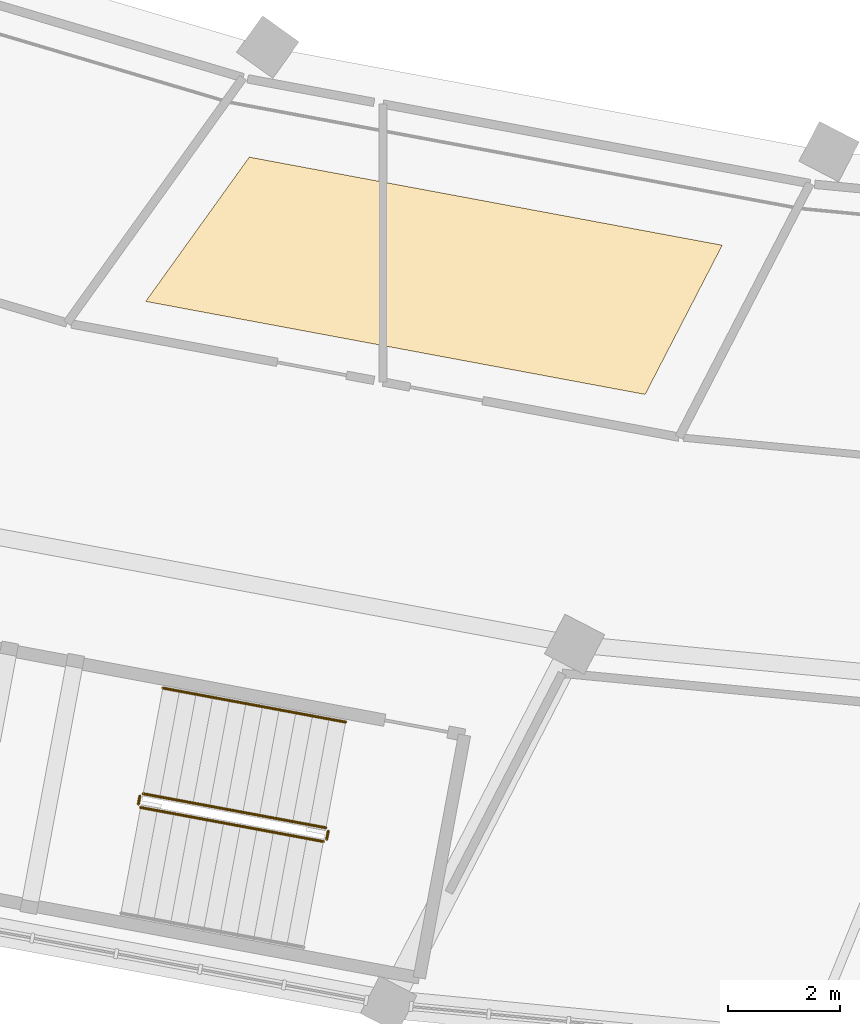
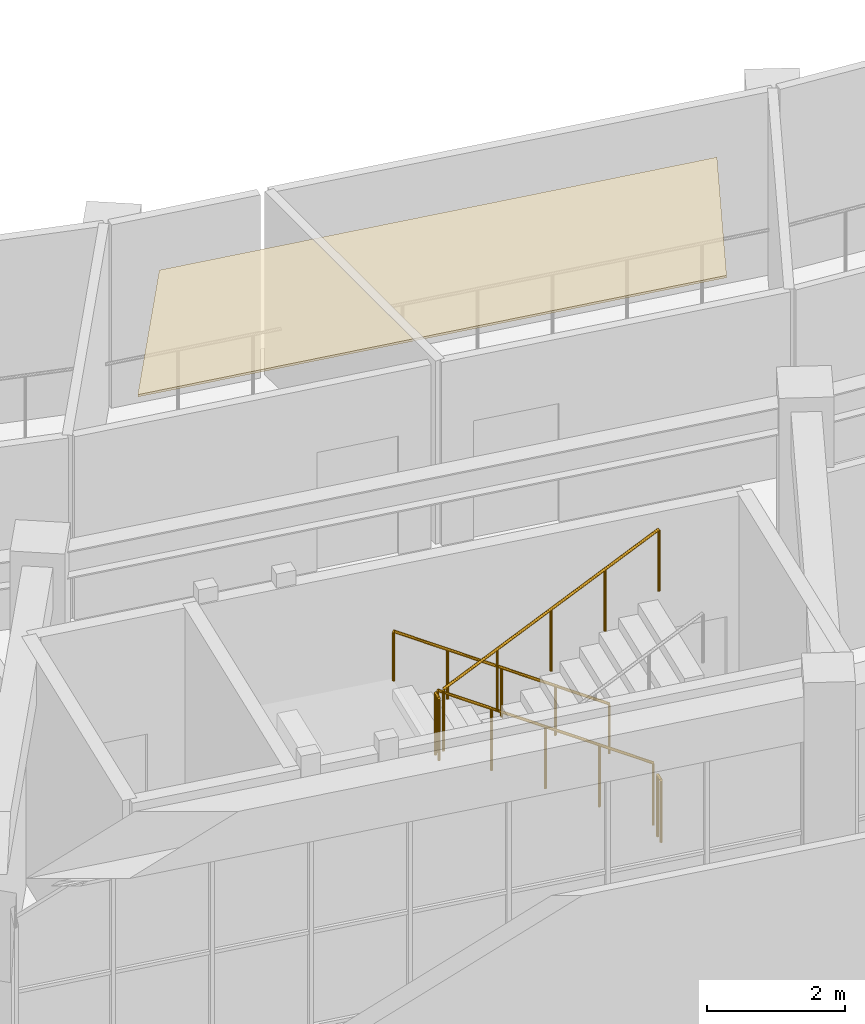
# One storey, part 118 of 141: 5 railings, 1 covering.
"""IFC4 building model written with IfcOpenShell, lengths in metres."""

from ifc_helpers import new_model, si_unit, direction, frame, origin, origin_2d, place, context, subcontext, project, spatial, polyline, circle, outline, extrude, material, layer, layer_set, type_object, element, save


model = new_model("IFC4")

# Units and contexts
model_context = context("Model", 3, precision=1e-05, world=origin(), true_north=direction((0.0, 1.0)))
body_context = subcontext(model_context, "Body", "Model", "MODEL_VIEW")
ifc_project = project(units=[si_unit("LENGTHUNIT", "METRE"), si_unit("AREAUNIT", "SQUARE_METRE"), si_unit("VOLUMEUNIT", "CUBIC_METRE"), si_unit("PLANEANGLEUNIT", "RADIAN"), si_unit("MASSUNIT", "GRAM", prefix="KILO")], contexts=[model_context])

# Site, building, storey
site_placement = place(None, origin())
site = spatial("IfcSite", under=ifc_project, at=site_placement, CompositionType="ELEMENT")
building_placement = place(site_placement, origin())
building = spatial("IfcBuilding", under=site, at=building_placement, Name="Mphavela Belvedere Stadium", CompositionType="ELEMENT")
storey_placement = place(building_placement, frame((0.0, 0.0, 14.699951171875)))
storey = spatial("IfcBuildingStorey", under=building, at=storey_placement, Name="L03", CompositionType="ELEMENT", Elevation=14.699951171875)

# Covering
ifc_material_1 = material(Name="Perforated acoustic mineral ceiling tile")
ifc_layer = layer(ifc_material_1, 0.0400390625)
ifc_layer_set = layer_set([ifc_layer], Name="Perforated acoustic mineral ceiling tile")
covering_type = type_object("IfcCoveringType", Name="COV-CEILING-ACOUSTIC", PredefinedType="CEILING", material=ifc_layer_set)
covering_placement = place(storey_placement, frame((0.0, 0.0, 3.199951171875)))
element("IfcCovering", 1, at=covering_placement, inside=storey, type_object=covering_type, Name="Concourse acoustic ceiling L03-34", PredefinedType="CEILING", context=body_context, shape_type="SweptSolid", body=[
    extrude(outline(polyline([(75.439453125, 30.367431640625), (83.8876953125, 28.7939453125), (82.510986328125, 26.129150390625), (73.590087890625, 27.79052734375), (75.439453125, 30.367431640625)])), origin(), (0.0, 0.0, 1.0), 0.0400390625),
])

# Railings
ifc_material_2 = material(Name="Painted galvanised steel stair guardrail", Category="steel")
railing_type_1 = type_object("IfcRailingType", Name="RAL-GUARD-1120", PredefinedType="GUARDRAIL", material=ifc_material_2)
railing_1_placement = place(storey_placement, frame((76.809814453125, 18.387939453125, 0.1875)))
element("IfcRailing", 2, at=railing_1_placement, inside=storey, type_object=railing_type_1, Name="L03 ST-C11 stair guard 1", PredefinedType="GUARDRAIL", context=body_context, shape_type="SweptSolid", body=[
    extrude(circle(Radius=0.02392578125, at=origin_2d()), frame((0.0, 0.0, 1.09619140625), z_axis=(-0.835218061398, 0.155530252743, 0.527466710226), x_axis=(-0.183068151301, -0.983100224789, 0.0)), (0.0, 0.0, 1.0), 3.91015625),
    extrude(circle(Radius=0.02099609375, at=origin_2d()), origin(), (0.0, 0.0, 1.0), 1.072021484375),
    extrude(circle(Radius=0.02099609375, at=origin_2d()), frame((-0.81640625, 0.152099609375, 0.515625)), (0.0, 0.0, 1.0), 1.072021484375),
    extrude(circle(Radius=0.02099609375, at=origin_2d()), frame((-1.6328125, 0.30419921875, 1.03125)), (0.0, 0.0, 1.0), 1.072021484375),
    extrude(circle(Radius=0.02099609375, at=origin_2d()), frame((-2.449462890625, 0.4560546875, 1.546875)), (0.0, 0.0, 1.0), 1.072021484375),
    extrude(circle(Radius=0.02099609375, at=origin_2d()), frame((-3.265869140625, 0.608154296875, 2.0625)), (0.0, 0.0, 1.0), 1.072021484375),
])
railing_2_placement = place(storey_placement, frame((73.485595703125, 18.956298828125, 2.25)))
element("IfcRailing", 3, at=railing_2_placement, inside=storey, type_object=railing_type_1, Name="L03 ST-C11 stair guard 2", PredefinedType="GUARDRAIL", context=body_context, shape_type="SweptSolid", body=[
    extrude(circle(Radius=0.02392578125, at=origin_2d()), frame((0.0, 0.0, 1.09619140625), z_axis=(-0.182322426032, -0.983238797529, 0.0), x_axis=(0.983238797529, -0.182322426032, 0.0)), (0.0, 0.0, 1.0), 0.14990234375),
    extrude(circle(Radius=0.02099609375, at=origin_2d()), origin(), (0.0, 0.0, 1.0), 1.072021484375),
    extrude(circle(Radius=0.02099609375, at=origin_2d()), frame((-0.02734375, -0.1474609375, 0.0)), (0.0, 0.0, 1.0), 1.072021484375),
])
railing_3_placement = place(storey_placement, frame((73.498291015625, 18.75048828125, 2.4375)))
element("IfcRailing", 4, at=railing_3_placement, inside=storey, type_object=railing_type_1, Name="L03 ST-C11 stair guard 3", PredefinedType="GUARDRAIL", context=body_context, shape_type="SweptSolid", body=[
    extrude(circle(Radius=0.02392578125, at=origin_2d()), frame((0.0, 0.0, 1.09619140625), z_axis=(0.835209949234, -0.155591178402, 0.527461587137), x_axis=(0.183139178697, 0.983086995757, 0.0)), (0.0, 0.0, 1.0), 3.91015625),
    extrude(circle(Radius=0.02099609375, at=origin_2d()), origin(), (0.0, 0.0, 1.0), 1.072021484375),
    extrude(circle(Radius=0.02099609375, at=origin_2d()), frame((0.81640625, -0.152099609375, 0.515625)), (0.0, 0.0, 1.0), 1.072021484375),
    extrude(circle(Radius=0.02099609375, at=origin_2d()), frame((1.6328125, -0.30419921875, 1.03125)), (0.0, 0.0, 1.0), 1.072021484375),
    extrude(circle(Radius=0.02099609375, at=origin_2d()), frame((2.449462890625, -0.456298828125, 1.546875)), (0.0, 0.0, 1.0), 1.072021484375),
    extrude(circle(Radius=0.02099609375, at=origin_2d()), frame((3.265869140625, -0.6083984375, 2.0625)), (0.0, 0.0, 1.0), 1.072021484375),
])
railing_4_placement = place(storey_placement, frame((76.849853515625, 18.32958984375, 0.0)))
element("IfcRailing", 5, at=railing_4_placement, inside=storey, type_object=railing_type_1, Name="L03 ST-C11 stair guard 4", PredefinedType="GUARDRAIL", context=body_context, shape_type="SweptSolid", body=[
    extrude(circle(Radius=0.02392578125, at=origin_2d()), frame((0.0, 0.0, 1.09619140625), z_axis=(-0.182322426032, -0.983238797529, 0.0), x_axis=(0.983238797529, -0.182322426032, 0.0)), (0.0, 0.0, 1.0), 0.14990234375),
    extrude(circle(Radius=0.02099609375, at=origin_2d()), origin(), (0.0, 0.0, 1.0), 1.072021484375),
    extrude(circle(Radius=0.02099609375, at=origin_2d()), frame((-0.02734375, -0.1474609375, 0.0)), (0.0, 0.0, 1.0), 1.072021484375),
])
ifc_material_3 = material(Name="Brushed stainless steel tubular handrail", Category="steel")
railing_type_2 = type_object("IfcRailingType", Name="RAL-HANDRAIL-900", PredefinedType="HANDRAIL", material=ifc_material_3)
railing_5_placement = place(storey_placement, frame((77.161376953125, 20.275390625, 0.1875)))
element("IfcRailing", 6, at=railing_5_placement, inside=storey, type_object=railing_type_2, Name="L03 ST-C11 stair handrail 1", PredefinedType="HANDRAIL", context=body_context, shape_type="SweptSolid", body=[
    extrude(circle(Radius=0.02392578125, at=origin_2d()), frame((0.0, 0.0, 0.8759765625), z_axis=(-0.835209949234, 0.155591178402, 0.527461587137), x_axis=(-0.183139178697, -0.983086995757, 0.0)), (0.0, 0.0, 1.0), 3.91015625),
    extrude(circle(Radius=0.02099609375, at=origin_2d()), origin(), (0.0, 0.0, 1.0), 0.851806640625),
    extrude(circle(Radius=0.02099609375, at=origin_2d()), frame((-0.81640625, 0.152099609375, 0.515625)), (0.0, 0.0, 1.0), 0.851806640625),
    extrude(circle(Radius=0.02099609375, at=origin_2d()), frame((-1.6328125, 0.30419921875, 1.03125)), (0.0, 0.0, 1.0), 0.851806640625),
    extrude(circle(Radius=0.02099609375, at=origin_2d()), frame((-2.449462890625, 0.456298828125, 1.546875)), (0.0, 0.0, 1.0), 0.851806640625),
    extrude(circle(Radius=0.02099609375, at=origin_2d()), frame((-3.265869140625, 0.6083984375, 2.0625)), (0.0, 0.0, 1.0), 0.851806640625),
])

save(model, "model.ifc")
